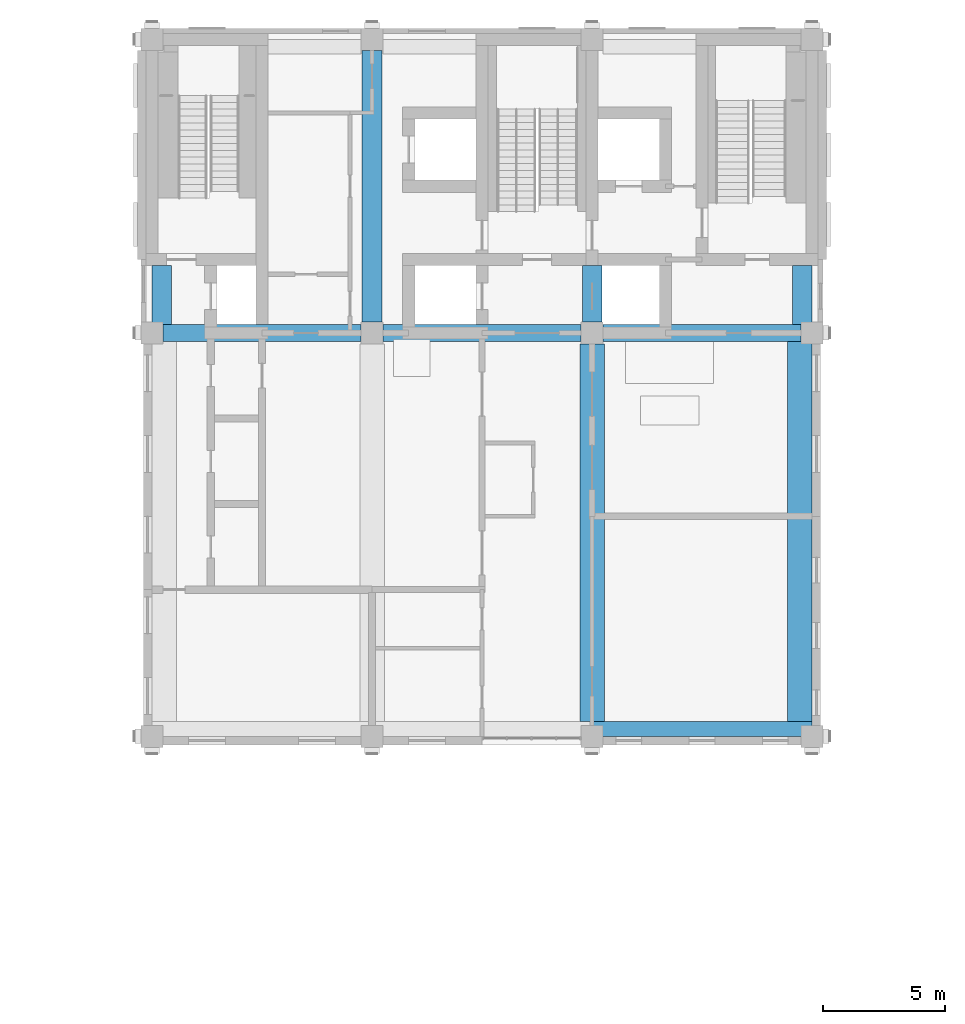
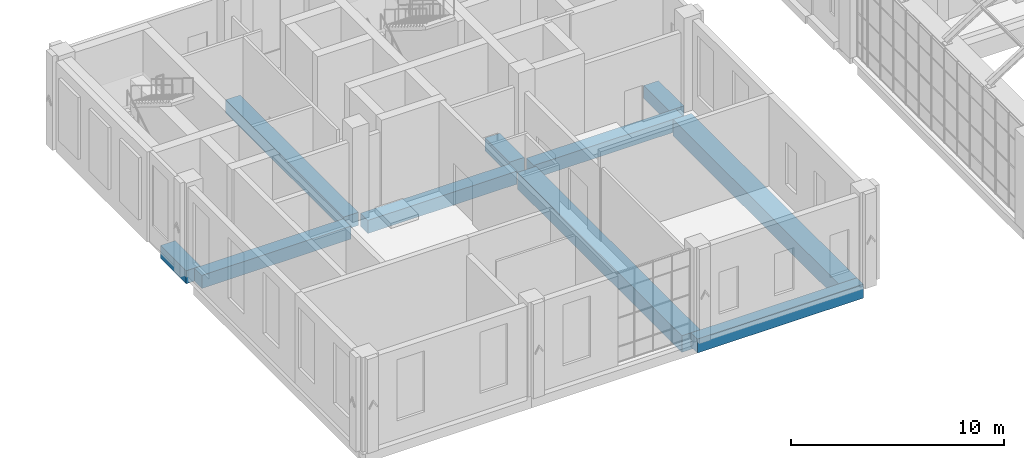
# One storey, part 5 of 39: 10 beams.
"""IFC4 building model written with IfcOpenShell, lengths in metres."""

from ifc_helpers import new_model, si_unit, direction, frame, origin, origin_2d, place, context, subcontext, project, spatial, rectangle, extrude, material, material_profile, profile_set, type_object, element, save


model = new_model("IFC4")

# Units and contexts
model_context = context("Model", 3, precision=1e-05, world=origin(), true_north=direction((0.0, 1.0)))
body_context = subcontext(model_context, "Body", "Model", "MODEL_VIEW")
ifc_project = project(units=[si_unit("LENGTHUNIT", "METRE"), si_unit("AREAUNIT", "SQUARE_METRE"), si_unit("VOLUMEUNIT", "CUBIC_METRE"), si_unit("PLANEANGLEUNIT", "RADIAN"), si_unit("MASSUNIT", "GRAM", prefix="KILO")], contexts=[model_context])

# Site, building, storey
site_placement = place(None, origin())
site = spatial("IfcSite", under=ifc_project, at=site_placement, CompositionType="ELEMENT")
building_placement = place(site_placement, origin())
building = spatial("IfcBuilding", under=site, at=building_placement, Name="Aurelan Courthouse", CompositionType="ELEMENT")
storey_placement = place(building_placement, frame((0.0, 0.0, 28.199951171875)))
storey = spatial("IfcBuildingStorey", under=building, at=storey_placement, Name="L05", CompositionType="ELEMENT", Elevation=28.199951171875)

# Beams
ifc_material = material(Name="Concrete C50", Category="concrete")
ifc_material_profile_1 = material_profile(ifc_material, rectangle(XDim=0.699951171875, YDim=0.75, at=origin_2d()), Name="RC 700 x 750")
ifc_profile_set_1 = profile_set([ifc_material_profile_1], Name="Concrete C50")
beam_type_1 = type_object("IfcBeamType", Name="PT beam 700 x 750", PredefinedType="BEAM", material=ifc_profile_set_1)
for number, where, z_axis, x_axis, name in (
    (1, (36.449951171875, 54.0, -0.625), (1.0, 0.0, 0.0), (0.0, 1.0, 0.0), "Beam EB-E-5-6"),
    (2, (45.449951171875, 54.0, -0.625), (1.0, 0.0, 0.0), (0.0, 1.0, 0.0), "Beam EB-E-6-7"),
    (3, (54.449951171875, 54.0, -0.625), (1.0, 0.0, 0.0), (0.0, 1.0, 0.0), "Beam EB-E-7-8"),
):
    element("IfcBeam", number, at=place(storey_placement, frame(where, z_axis=z_axis, x_axis=x_axis)), inside=storey, type_object=beam_type_1, Name=name, PredefinedType="BEAM", context=body_context, shape_type="SweptSolid", body=[
        extrude(rectangle(XDim=0.699951171875, YDim=0.75, at=origin_2d()), origin(), (0.0, 0.0, 1.0), 8.10009765625),
    ])
ifc_material_profile_2 = material_profile(ifc_material, rectangle(XDim=1.0, YDim=0.949951171875, at=origin_2d()), Name="RC 1000 x 950")
ifc_profile_set_2 = profile_set([ifc_material_profile_2], Name="Concrete C50")
beam_type_2 = type_object("IfcBeamType", Name="PT girder 1000 x 950", PredefinedType="BEAM", material=ifc_profile_set_2)
beam_1_placement = place(storey_placement, frame((54.0, 38.10009765625, -0.724853515625), z_axis=(0.0, 1.0, 0.0), x_axis=(-1.0, 0.0, 0.0)))
element("IfcBeam", 4, at=beam_1_placement, inside=storey, type_object=beam_type_2, Name="Girder GB-7DE", PredefinedType="BEAM", context=body_context, shape_type="SweptSolid", body=[
    extrude(rectangle(XDim=1.0, YDim=0.949951171875, at=origin_2d()), origin(), (0.0, 0.0, 1.0), 15.449951171875),
])
beam_2_placement = place(storey_placement, frame((62.5, 38.10009765625, -0.724853515625), z_axis=(0.0, 1.0, 0.0), x_axis=(-1.0, 0.0, 0.0)))
element("IfcBeam", 5, at=beam_2_placement, inside=storey, type_object=beam_type_2, Name="Girder GB-8DE-E", PredefinedType="BEAM", context=body_context, shape_type="SweptSolid", body=[
    extrude(rectangle(XDim=1.0, YDim=0.949951171875, at=origin_2d()), origin(), (0.0, 0.0, 1.0), 15.5498046875),
])
ifc_material_profile_3 = material_profile(ifc_material, rectangle(XDim=0.800048828125, YDim=0.75, at=origin_2d()), Name="RC 800 x 750")
ifc_profile_set_3 = profile_set([ifc_material_profile_3], Name="Concrete C50")
beam_type_3 = type_object("IfcBeamType", Name="PT girder 800 x 750", PredefinedType="BEAM", material=ifc_profile_set_3)
beam_3_placement = place(storey_placement, frame((36.39990234375, 54.35009765625, -0.625), z_axis=(0.0, 1.0, 0.0), x_axis=(-1.0, 0.0, 0.0)))
element("IfcBeam", 6, at=beam_3_placement, inside=storey, type_object=beam_type_3, Name="Girder GB-5EF-E", PredefinedType="BEAM", context=body_context, shape_type="SweptSolid", body=[
    extrude(rectangle(XDim=0.800048828125, YDim=0.75, at=origin_2d()), origin(), (0.0, 0.0, 1.0), 2.39990234375),
])
beam_4_placement = place(storey_placement, frame((45.0, 54.449951171875, -0.625), z_axis=(0.0, 1.0, 0.0), x_axis=(-1.0, 0.0, 0.0)))
element("IfcBeam", 7, at=beam_4_placement, inside=storey, type_object=beam_type_3, Name="Girder GB-6EF", PredefinedType="BEAM", context=body_context, shape_type="SweptSolid", body=[
    extrude(rectangle(XDim=0.800048828125, YDim=0.75, at=origin_2d()), origin(), (0.0, 0.0, 1.0), 11.10009765625),
])
beam_5_placement = place(storey_placement, frame((54.0, 54.449951171875, -0.625), z_axis=(0.0, 1.0, 0.0), x_axis=(-1.0, 0.0, 0.0)))
element("IfcBeam", 8, at=beam_5_placement, inside=storey, type_object=beam_type_3, Name="Girder GB-7EF", PredefinedType="BEAM", context=body_context, shape_type="SweptSolid", body=[
    extrude(rectangle(XDim=0.800048828125, YDim=0.75, at=origin_2d()), origin(), (0.0, 0.0, 1.0), 2.300048828125),
])
beam_6_placement = place(storey_placement, frame((62.60009765625, 54.35009765625, -0.625), z_axis=(0.0, 1.0, 0.0), x_axis=(-1.0, 0.0, 0.0)))
element("IfcBeam", 9, at=beam_6_placement, inside=storey, type_object=beam_type_3, Name="Girder GB-8EF-E", PredefinedType="BEAM", context=body_context, shape_type="SweptSolid", body=[
    extrude(rectangle(XDim=0.800048828125, YDim=0.75, at=origin_2d()), origin(), (0.0, 0.0, 1.0), 2.39990234375),
])
ifc_material_profile_4 = material_profile(ifc_material, rectangle(XDim=0.60009765625, YDim=0.800048828125, at=origin_2d()), Name="RC 600 x 800")
ifc_profile_set_4 = profile_set([ifc_material_profile_4], Name="Concrete C50")
beam_type_4 = type_object("IfcBeamType", Name="RC spandrel beam 600 x 800", PredefinedType="SPANDREL", material=ifc_profile_set_4)
beam_7_placement = place(storey_placement, frame((54.0, 37.800048828125, -0.64990234375), z_axis=(1.0, 0.0, 0.0), x_axis=(0.0, 1.0, 0.0)))
element("IfcBeam", 10, at=beam_7_placement, inside=storey, type_object=beam_type_4, Name="Spandrel beam SB-D-7-8", PredefinedType="SPANDREL", context=body_context, shape_type="SweptSolid", body=[
    extrude(rectangle(XDim=0.60009765625, YDim=0.800048828125, at=origin_2d()), origin(), (0.0, 0.0, 1.0), 9.0),
])

save(model, "model.ifc")
